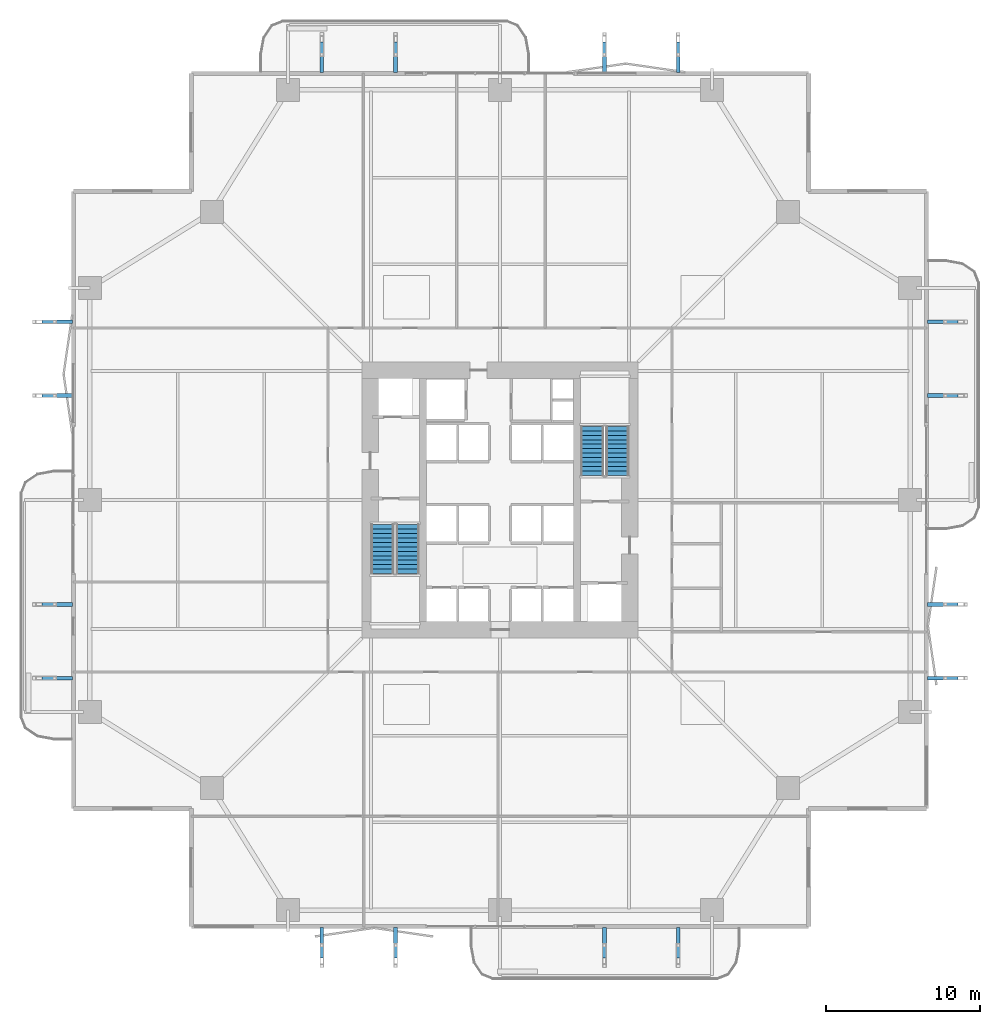
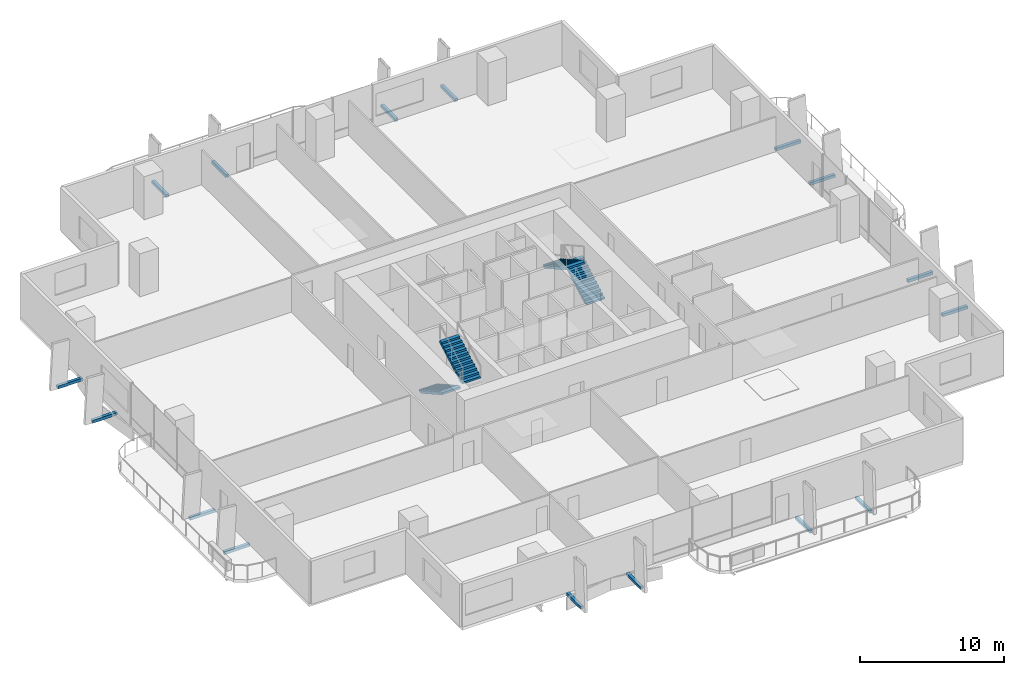
# One storey, part 20 of 24: 16 discrete accessories, 4 stair flights, 2 elements without a shape of their own.
"""IFC4 building model written with IfcOpenShell, lengths in metres."""

from ifc_helpers import new_model, si_unit, direction, frame, origin, origin_2d, place, context, subcontext, project, spatial, polyline, rectangle, outline, extrude, material, layer, layer_set, type_object, element, aggregate, save


model = new_model("IFC4")

# Units and contexts
model_context = context("Model", 3, precision=1e-05, world=origin(), true_north=direction((0.0, 1.0)))
body_context = subcontext(model_context, "Body", "Model", "MODEL_VIEW")
ifc_project = project(units=[si_unit("LENGTHUNIT", "METRE"), si_unit("AREAUNIT", "SQUARE_METRE"), si_unit("VOLUMEUNIT", "CUBIC_METRE"), si_unit("PLANEANGLEUNIT", "RADIAN"), si_unit("MASSUNIT", "GRAM", prefix="KILO")], contexts=[model_context])

# Site, building, storey
site_placement = place(None, origin())
site = spatial("IfcSite", under=ifc_project, at=site_placement, CompositionType="ELEMENT")
building_placement = place(site_placement, origin())
building = spatial("IfcBuilding", under=site, at=building_placement, Name="Belovzor Exchange Tower", CompositionType="ELEMENT")
storey_placement = place(building_placement, frame((0.0, 0.0, 61.199951171875)))
storey = spatial("IfcBuildingStorey", under=building, at=storey_placement, Name="L14", CompositionType="ELEMENT", Elevation=61.199951171875)

# Stair, stair flights
ifc_material_1 = material(Name="Concrete C40/50", Category="concrete")
stair_type = type_object("IfcStairType", Name="Reinforced Concrete Dogleg Escape Stair 1350", PredefinedType="HALF_TURN_STAIR", material=ifc_material_1)
stair_1_placement = place(storey_placement, origin())
stair_1 = element("IfcStair", 1, at=stair_1_placement, inside=storey, type_object=stair_type, Name="L14 ST-1", PredefinedType="HALF_TURN_STAIR")
ifc_material_2 = material(Name="Concrete C40/50", Category="concrete")
stair_flight_type = type_object("IfcStairFlightType", Name="Reinforced Concrete Stair Flight 1350", PredefinedType="STRAIGHT", material=ifc_material_2)
stair_flight_1_placement = place(storey_placement, frame((21.14990234375, 27.199951171875, 0.0), z_axis=(0.0, 0.0, 1.0), x_axis=(0.0, -1.0, 0.0)))
stair_flight_1 = element("IfcStairFlight", 2, at=stair_flight_1_placement, type_object=stair_flight_type, Name="ST-1 flight 1", NumberOfRisers=12, NumberOfTreads=11, PredefinedType="STRAIGHT", RiserHeight=0.1625, TreadLength=0.29, context=body_context, shape_type="SweptSolid", body=[
    extrude(outline(polyline([(0.0, 0.0), (0.0, 0.16259765625), (0.2900390625, 0.16259765625), (0.2900390625, 0.324951171875), (0.580078125, 0.324951171875), (0.580078125, 0.487548828125), (0.8701171875, 0.487548828125), (0.8701171875, 0.64990234375), (1.159912109375, 0.64990234375), (1.159912109375, 0.8125), (1.449951171875, 0.8125), (1.449951171875, 0.97509765625), (1.739990234375, 0.97509765625), (1.739990234375, 1.137451171875), (2.030029296875, 1.137451171875), (2.030029296875, 1.300048828125), (2.320068359375, 1.300048828125), (2.320068359375, 1.46240234375), (2.610107421875, 1.46240234375), (2.610107421875, 1.625), (2.89990234375, 1.625), (2.89990234375, 1.78759765625), (3.18994140625, 1.78759765625), (3.18994140625, 1.949951171875), (3.18994140625, 1.61572265625), (0.306640625, 0.0), (0.0, 0.0)])), frame((0.0, 0.75, 0.0), z_axis=(0.0, -1.0, 0.0), x_axis=(1.0, 0.0, 0.0)), (0.0, 0.0, 1.0), 1.5),
])
stair_flight_2_placement = place(storey_placement, frame((22.800048828125, 24.010009765625, 1.949951171875), z_axis=(0.0, 0.0, 1.0), x_axis=(0.0, 1.0, 0.0)))
stair_flight_2 = element("IfcStairFlight", 3, at=stair_flight_2_placement, type_object=stair_flight_type, Name="ST-1 flight 2", NumberOfRisers=12, NumberOfTreads=11, PredefinedType="STRAIGHT", RiserHeight=0.1625, TreadLength=0.29, context=body_context, shape_type="SweptSolid", body=[
    extrude(outline(polyline([(0.0, 0.0), (0.0, 0.16259765625), (0.2900390625, 0.16259765625), (0.2900390625, 0.324951171875), (0.580078125, 0.324951171875), (0.580078125, 0.487548828125), (0.8701171875, 0.487548828125), (0.8701171875, 0.64990234375), (1.159912109375, 0.64990234375), (1.159912109375, 0.8125), (1.449951171875, 0.8125), (1.449951171875, 0.97509765625), (1.739990234375, 0.97509765625), (1.739990234375, 1.137451171875), (2.030029296875, 1.137451171875), (2.030029296875, 1.300048828125), (2.320068359375, 1.300048828125), (2.320068359375, 1.46240234375), (2.610107421875, 1.46240234375), (2.610107421875, 1.625), (2.89990234375, 1.625), (2.89990234375, 1.78759765625), (3.18994140625, 1.78759765625), (3.18994140625, 1.949951171875), (3.18994140625, 1.61572265625), (0.306640625, 0.0), (0.0, 0.0)])), frame((0.0, 0.75, 0.0), z_axis=(0.0, -1.0, 0.0), x_axis=(1.0, 0.0, 0.0)), (0.0, 0.0, 1.0), 1.5),
])
aggregate(stair_1, [stair_flight_1, stair_flight_2])

stair_2_placement = place(storey_placement, origin())
stair_2 = element("IfcStair", 4, at=stair_2_placement, inside=storey, type_object=stair_type, Name="L14 ST-2", PredefinedType="HALF_TURN_STAIR")
stair_flight_3_placement = place(storey_placement, frame((36.449951171875, 30.39990234375, 0.0), z_axis=(0.0, 0.0, 1.0), x_axis=(0.0, 1.0, 0.0)))
stair_flight_3 = element("IfcStairFlight", 5, at=stair_flight_3_placement, type_object=stair_flight_type, Name="ST-2 flight 1", NumberOfRisers=12, NumberOfTreads=11, PredefinedType="STRAIGHT", RiserHeight=0.1625, TreadLength=0.29, context=body_context, shape_type="SweptSolid", body=[
    extrude(outline(polyline([(0.0, 0.0), (0.0, 0.16259765625), (0.2900390625, 0.16259765625), (0.2900390625, 0.324951171875), (0.580078125, 0.324951171875), (0.580078125, 0.487548828125), (0.8701171875, 0.487548828125), (0.8701171875, 0.64990234375), (1.159912109375, 0.64990234375), (1.159912109375, 0.8125), (1.449951171875, 0.8125), (1.449951171875, 0.97509765625), (1.739990234375, 0.97509765625), (1.739990234375, 1.137451171875), (2.030029296875, 1.137451171875), (2.030029296875, 1.300048828125), (2.320068359375, 1.300048828125), (2.320068359375, 1.46240234375), (2.610107421875, 1.46240234375), (2.610107421875, 1.625), (2.89990234375, 1.625), (2.89990234375, 1.78759765625), (3.18994140625, 1.78759765625), (3.18994140625, 1.949951171875), (3.18994140625, 1.61572265625), (0.306640625, 0.0), (0.0, 0.0)])), frame((0.0, 0.75, 0.0), z_axis=(0.0, -1.0, 0.0), x_axis=(1.0, 0.0, 0.0)), (0.0, 0.0, 1.0), 1.5),
])
stair_flight_4_placement = place(storey_placement, frame((34.800048828125, 33.590087890625, 1.949951171875), z_axis=(0.0, 0.0, 1.0), x_axis=(0.0, -1.0, 0.0)))
stair_flight_4 = element("IfcStairFlight", 6, at=stair_flight_4_placement, type_object=stair_flight_type, Name="ST-2 flight 2", NumberOfRisers=12, NumberOfTreads=11, PredefinedType="STRAIGHT", RiserHeight=0.1625, TreadLength=0.29, context=body_context, shape_type="SweptSolid", body=[
    extrude(outline(polyline([(0.0, 0.0), (0.0, 0.16259765625), (0.2900390625, 0.16259765625), (0.2900390625, 0.324951171875), (0.580078125, 0.324951171875), (0.580078125, 0.487548828125), (0.8701171875, 0.487548828125), (0.8701171875, 0.64990234375), (1.159912109375, 0.64990234375), (1.159912109375, 0.8125), (1.449951171875, 0.8125), (1.449951171875, 0.97509765625), (1.739990234375, 0.97509765625), (1.739990234375, 1.137451171875), (2.030029296875, 1.137451171875), (2.030029296875, 1.300048828125), (2.320068359375, 1.300048828125), (2.320068359375, 1.46240234375), (2.610107421875, 1.46240234375), (2.610107421875, 1.625), (2.89990234375, 1.625), (2.89990234375, 1.78759765625), (3.18994140625, 1.78759765625), (3.18994140625, 1.949951171875), (3.18994140625, 1.61572265625), (0.306640625, 0.0), (0.0, 0.0)])), frame((0.0, 0.75, 0.0), z_axis=(0.0, -1.0, 0.0), x_axis=(1.0, 0.0, 0.0)), (0.0, 0.0, 1.0), 1.5),
])
aggregate(stair_2, [stair_flight_3, stair_flight_4])

# Discrete accessories
ifc_material_3 = material(Name="Stainless Steel Grade 316", Category="steel")
ifc_layer = layer(ifc_material_3, 0.179931640625)
ifc_layer_set = layer_set([ifc_layer], Name="Stainless Steel Grade 316")
discrete_accessory_type = type_object("IfcDiscreteAccessoryType", Name="Stainless Steel Facade Outrigger Fixing Bracket", PredefinedType="BRACKET", material=ifc_layer_set)
for number, where, z_axis, x_axis, name in (
    (7, (17.199951171875, -0.02392578125, -0.2451171875), (0.0, 0.0, 1.0), (0.0, 1.0, 0.0), "BRK-FIN1 Sweeping Fin Outrigger Bracket L14 S1"),
    (8, (17.199951171875, 57.6240234375, -0.2451171875), (0.0, 0.0, 1.0), (0.0, 1.0, 0.0), "BRK-FIN1 Sweeping Fin Outrigger Bracket L14 N1"),
    (9, (-0.02392578125, 17.199951171875, -0.2451171875), (0.0, 0.0, 1.0), (1.0, 0.0, 0.0), "BRK-FIN1 Sweeping Fin Outrigger Bracket L14 W1"),
    (10, (57.6240234375, 17.199951171875, -0.2451171875), (0.0, 0.0, 1.0), (1.0, 0.0, 0.0), "BRK-FIN1 Sweeping Fin Outrigger Bracket L14 E1"),
    (11, (22.0, -0.02392578125, -0.2451171875), (0.0, 0.0, 1.0), (0.0, 1.0, 0.0), "BRK-FIN1 Sweeping Fin Outrigger Bracket L14 S2"),
    (12, (22.0, 57.6240234375, -0.2451171875), (0.0, 0.0, 1.0), (0.0, 1.0, 0.0), "BRK-FIN1 Sweeping Fin Outrigger Bracket L14 N2"),
    (13, (-0.02392578125, 22.0, -0.2451171875), (0.0, 0.0, 1.0), (1.0, 0.0, 0.0), "BRK-FIN1 Sweeping Fin Outrigger Bracket L14 W2"),
    (14, (57.6240234375, 22.0, -0.2451171875), (0.0, 0.0, 1.0), (1.0, 0.0, 0.0), "BRK-FIN1 Sweeping Fin Outrigger Bracket L14 E2"),
    (15, (35.60009765625, -0.02392578125, -0.2451171875), (0.0, 0.0, 1.0), (0.0, 1.0, 0.0), "BRK-FIN1 Sweeping Fin Outrigger Bracket L14 S3"),
    (16, (35.60009765625, 57.6240234375, -0.2451171875), (0.0, 0.0, 1.0), (0.0, 1.0, 0.0), "BRK-FIN1 Sweeping Fin Outrigger Bracket L14 N3"),
    (17, (-0.02392578125, 35.60009765625, -0.2451171875), (0.0, 0.0, 1.0), (1.0, 0.0, 0.0), "BRK-FIN1 Sweeping Fin Outrigger Bracket L14 W3"),
    (18, (57.6240234375, 35.60009765625, -0.2451171875), (0.0, 0.0, 1.0), (1.0, 0.0, 0.0), "BRK-FIN1 Sweeping Fin Outrigger Bracket L14 E3"),
    (19, (40.39990234375, -0.02392578125, -0.2451171875), (0.0, 0.0, 1.0), (0.0, 1.0, 0.0), "BRK-FIN1 Sweeping Fin Outrigger Bracket L14 S4"),
    (20, (40.39990234375, 57.6240234375, -0.2451171875), (0.0, 0.0, 1.0), (0.0, 1.0, 0.0), "BRK-FIN1 Sweeping Fin Outrigger Bracket L14 N4"),
    (21, (-0.02392578125, 40.39990234375, -0.2451171875), (0.0, 0.0, 1.0), (1.0, 0.0, 0.0), "BRK-FIN1 Sweeping Fin Outrigger Bracket L14 W4"),
    (22, (57.6240234375, 40.39990234375, -0.2451171875), (0.0, 0.0, 1.0), (1.0, 0.0, 0.0), "BRK-FIN1 Sweeping Fin Outrigger Bracket L14 E4"),
):
    element("IfcDiscreteAccessory", number, at=place(storey_placement, frame(where, z_axis=z_axis, x_axis=x_axis)), inside=storey, type_object=discrete_accessory_type, Name=name, PredefinedType="BRACKET", context=body_context, shape_type="SweptSolid", body=[
        extrude(rectangle(XDim=2.009033203125, YDim=0.239990234375, at=origin_2d()), origin(), (0.0, 0.0, 1.0), 0.239990234375),
    ])

save(model, "model.ifc")
